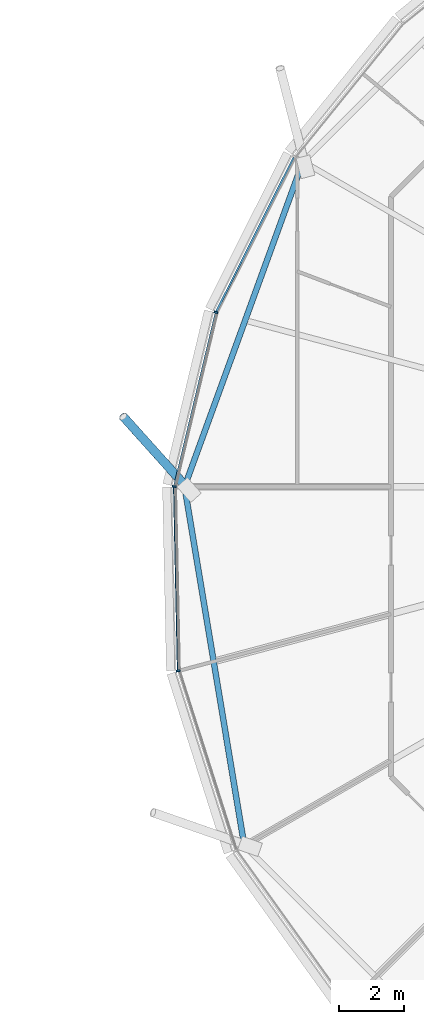
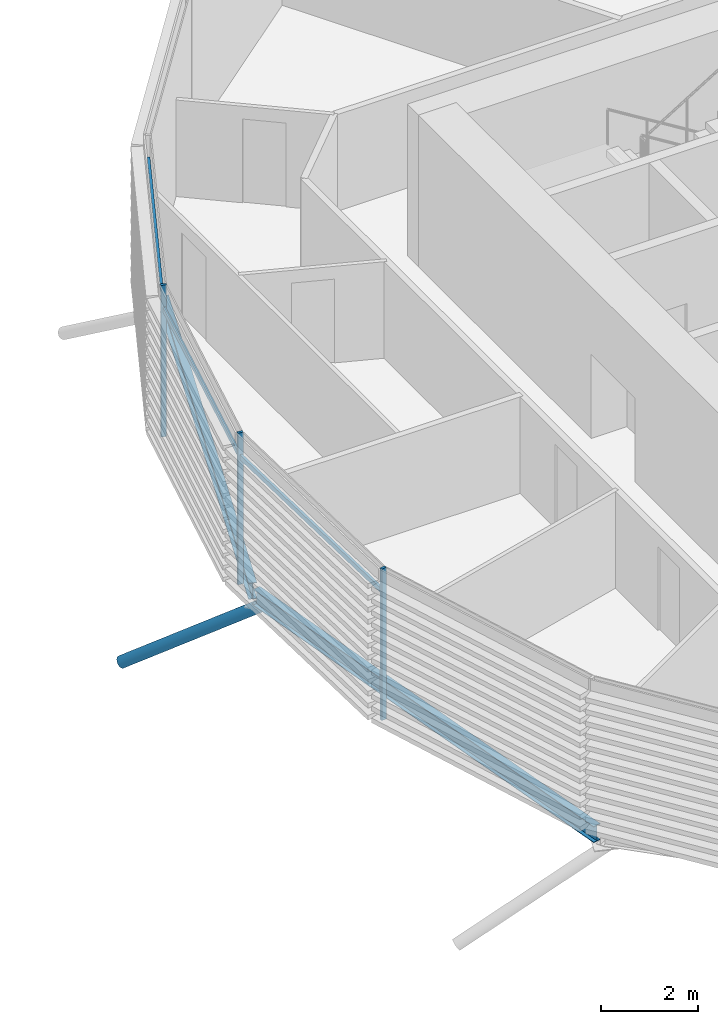
# One storey, part 9 of 38: 7 members, 2 beams, 1 element without a shape of its own.
"""IFC4 building model written with IfcOpenShell, lengths in metres."""

from ifc_helpers import new_model, si_unit, direction, frame, origin, origin_2d, place, context, subcontext, project, spatial, rectangle, hollow_circle, i_section, extrude, clip, halfspace, material, material_profile, profile_set, type_object, element, aggregate, save


model = new_model("IFC4")

# Units and contexts
model_context = context("Model", 3, precision=1e-05, world=origin(), true_north=direction((0.0, 1.0)))
body_context = subcontext(model_context, "Body", "Model", "MODEL_VIEW")
ifc_project = project(units=[si_unit("LENGTHUNIT", "METRE"), si_unit("AREAUNIT", "SQUARE_METRE"), si_unit("VOLUMEUNIT", "CUBIC_METRE"), si_unit("PLANEANGLEUNIT", "RADIAN"), si_unit("MASSUNIT", "GRAM", prefix="KILO")], contexts=[model_context])

# Site, building, storey
site_placement = place(None, origin())
site = spatial("IfcSite", under=ifc_project, at=site_placement, CompositionType="ELEMENT")
building_placement = place(site_placement, origin())
building = spatial("IfcBuilding", under=site, at=building_placement, Name="Rimbun Link Towers", CompositionType="ELEMENT")
storey_placement = place(building_placement, frame((0.0, 0.0, 49.0)))
storey = spatial("IfcBuildingStorey", under=building, at=storey_placement, Name="L11", CompositionType="ELEMENT", Elevation=49.0)

# Curtain wall, members
ifc_material_1 = material(Name="Aluminium 6063-T6 and low-iron glass", Category="aluminium")
curtain_wall_type = type_object("IfcCurtainWallType", Name="CW1 unitised vision wall", PredefinedType="NOTDEFINED", material=ifc_material_1)
curtain_wall_placement = place(storey_placement, origin())
curtain_wall = element("IfcCurtainWall", 1, at=curtain_wall_placement, inside=storey, type_object=curtain_wall_type, Name="CW1 L11 T2", PredefinedType="NOTDEFINED")
ifc_material_2 = material(Name="Aluminium 6063-T6", Category="aluminium")
ifc_material_profile_1 = material_profile(ifc_material_2, rectangle(XDim=0.1201171875, YDim=0.06005859375, at=origin_2d()), Name="MULLION 60X120")
ifc_profile_set_1 = profile_set([ifc_material_profile_1], Name="Aluminium 6063-T6")
member_type_1 = type_object("IfcMemberType", Name="CW1 mullion 60X120", PredefinedType="MULLION", material=ifc_profile_set_1)
member_1_placement = place(storey_placement, frame((11.740478515625, 5.366943359375, 0.0), z_axis=(0.0, 0.0, 1.0), x_axis=(-0.939347883555, 0.342965819961, 0.0)))
member_1 = element("IfcMember", 2, at=member_1_placement, type_object=member_type_1, Name="CW1 mullion", PredefinedType="MULLION", context=body_context, shape_type="SweptSolid", body=[
    extrude(rectangle(XDim=0.1201171875, YDim=0.06005859375, at=origin_2d()), origin(), (0.0, 0.0, 1.0), 3.800048828125),
])
member_2_placement = place(storey_placement, frame((10.45849609375, 0.00634765625, 0.0), z_axis=(0.0, 0.0, 1.0), x_axis=(-0.994297364725, 0.106643098703, 0.0)))
member_2 = element("IfcMember", 3, at=member_2_placement, type_object=member_type_1, Name="CW1 mullion", PredefinedType="MULLION", context=body_context, shape_type="SweptSolid", body=[
    extrude(rectangle(XDim=0.1201171875, YDim=0.06005859375, at=origin_2d()), origin(), (0.0, 0.0, 1.0), 3.800048828125),
])
member_3_placement = place(storey_placement, frame((10.578125, -5.6669921875, 0.0), z_axis=(0.0, 0.0, 1.0), x_axis=(-0.986501879703, -0.163749935396, 0.0)))
member_3 = element("IfcMember", 4, at=member_3_placement, type_object=member_type_1, Name="CW1 mullion", PredefinedType="MULLION", context=body_context, shape_type="SweptSolid", body=[
    extrude(rectangle(XDim=0.1201171875, YDim=0.06005859375, at=origin_2d()), origin(), (0.0, 0.0, 1.0), 3.800048828125),
])
ifc_material_3 = material(Name="Aluminium 6063-T6", Category="aluminium")
ifc_material_profile_2 = material_profile(ifc_material_3, rectangle(XDim=0.06005859375, YDim=0.1201171875, at=origin_2d()), Name="TRANSOM 60X120")
ifc_profile_set_2 = profile_set([ifc_material_profile_2], Name="Aluminium 6063-T6")
member_type_2 = type_object("IfcMemberType", Name="CW1 transom 60X120", PredefinedType="USERDEFINED", material=ifc_profile_set_2)
member_4_placement = place(storey_placement, frame((11.758544921875, 5.399169921875, 3.199951171875), z_axis=(0.448761969618, 0.89365132721, 0.0), x_axis=(-0.89365132721, 0.448761969618, 0.0)))
member_4 = element("IfcMember", 5, at=member_4_placement, type_object=member_type_2, Name="CW1 transom", ObjectType="TRANSOM", PredefinedType="USERDEFINED", context=body_context, shape_type="SweptSolid", body=[
    extrude(rectangle(XDim=0.06005859375, YDim=0.1201171875, at=origin_2d()), origin(), (0.0, 0.0, 1.0), 5.295654296875),
])
member_5_placement = place(storey_placement, frame((10.46875, 0.042724609375, 3.199951171875), z_axis=(0.232591679751, 0.97257447556, 0.0), x_axis=(-0.97257447556, 0.232591679751, 0.0)))
member_5 = element("IfcMember", 6, at=member_5_placement, type_object=member_type_2, Name="CW1 transom", ObjectType="TRANSOM", PredefinedType="USERDEFINED", context=body_context, shape_type="SweptSolid", body=[
    extrude(rectangle(XDim=0.06005859375, YDim=0.1201171875, at=origin_2d()), origin(), (0.0, 0.0, 1.0), 5.437255859375),
])
member_6_placement = place(storey_placement, frame((10.57861328125, -5.62841796875, 3.199951171875), z_axis=(-0.021063109375, 0.999778148103, 0.0), x_axis=(-0.999778148103, -0.021063109375, 0.0)))
member_6 = element("IfcMember", 7, at=member_6_placement, type_object=member_type_2, Name="CW1 transom", ObjectType="TRANSOM", PredefinedType="USERDEFINED", context=body_context, shape_type="SweptSolid", body=[
    extrude(rectangle(XDim=0.06005859375, YDim=0.1201171875, at=origin_2d()), origin(), (0.0, 0.0, 1.0), 5.598388671875),
])
aggregate(curtain_wall, [member_1, member_2, member_3, member_4, member_5, member_6])

# Member
ifc_material_4 = material(Name="Steel S355J2H", Category="steel")
ifc_material_profile_3 = material_profile(ifc_material_4, hollow_circle(Radius=0.136474609375, WallThickness=0.012451171875, at=origin_2d()), Name="CHS 273x12.5")
ifc_profile_set_3 = profile_set([ifc_material_profile_3], Name="Steel S355J2H")
member_type_3 = type_object("IfcMemberType", Name="Floor edge link CHS 273x12.5", PredefinedType="BRACE", material=ifc_profile_set_3)
member_7_placement = place(storey_placement, frame((10.8251953125, 0.0, -0.72607421875), z_axis=(-0.550468172592, 0.613558486624, -0.566154373343), x_axis=(-0.744339509308, -0.667801388799, 0.0)))
element("IfcMember", 8, at=member_7_placement, inside=storey, type_object=member_type_3, Name="Floor edge link T2 L11 09", PredefinedType="BRACE", context=body_context, shape_type="Clipping", body=[
    clip(extrude(hollow_circle(Radius=0.136474609375, WallThickness=0.012451171875, at=origin_2d()), frame((0.0, 0.0, -0.415283203125)), (0.0, 0.0, 1.0), 3.9482421875), halfspace(frame((0.0, 0.0, -0.195556640625), z_axis=(0.0, 0.824299233013, -0.566154373343)), False)),
])

# Beams
ifc_material_5 = material(Name="Steel S355J2", Category="steel")
ifc_material_profile_4 = material_profile(ifc_material_5, i_section(OverallWidth=0.177978515625, OverallDepth=0.406494140625, WebThickness=0.0078125, FlangeThickness=0.0126953125, at=origin_2d()), Name="UB 406x178x60")
ifc_profile_set_4 = profile_set([ifc_material_profile_4], Name="Steel S355J2")
beam_type = type_object("IfcBeamType", Name="UB 406x178x60", PredefinedType="BEAM", material=ifc_profile_set_4)
beam_1_placement = place(storey_placement, frame((14.38916015625, 9.923095703125, -0.36328125), z_axis=(-0.342215341915, -0.939621551348, 0.0), x_axis=(0.939621551348, -0.342215341915, 0.0)))
element("IfcBeam", 9, at=beam_1_placement, inside=storey, type_object=beam_type, Name="Edge beam T2 L11 07-09", PredefinedType="BEAM", context=body_context, shape_type="SweptSolid", body=[
    extrude(i_section(OverallWidth=0.177978515625, OverallDepth=0.406494140625, WebThickness=0.0078125, FlangeThickness=0.0126953125, at=origin_2d()), origin(), (0.0, 0.0, 1.0), 10.458740234375),
])
beam_2_placement = place(storey_placement, frame((10.791015625, -0.095947265625, -0.36328125), z_axis=(0.164211836729, -0.986425097348, 0.0), x_axis=(0.986425097348, 0.164211836729, 0.0)))
element("IfcBeam", 10, at=beam_2_placement, inside=storey, type_object=beam_type, Name="Edge beam T2 L11 09-11", PredefinedType="BEAM", context=body_context, shape_type="SweptSolid", body=[
    extrude(i_section(OverallWidth=0.177978515625, OverallDepth=0.406494140625, WebThickness=0.0078125, FlangeThickness=0.0126953125, at=origin_2d()), origin(), (0.0, 0.0, 1.0), 11.00048828125),
])

save(model, "model.ifc")
